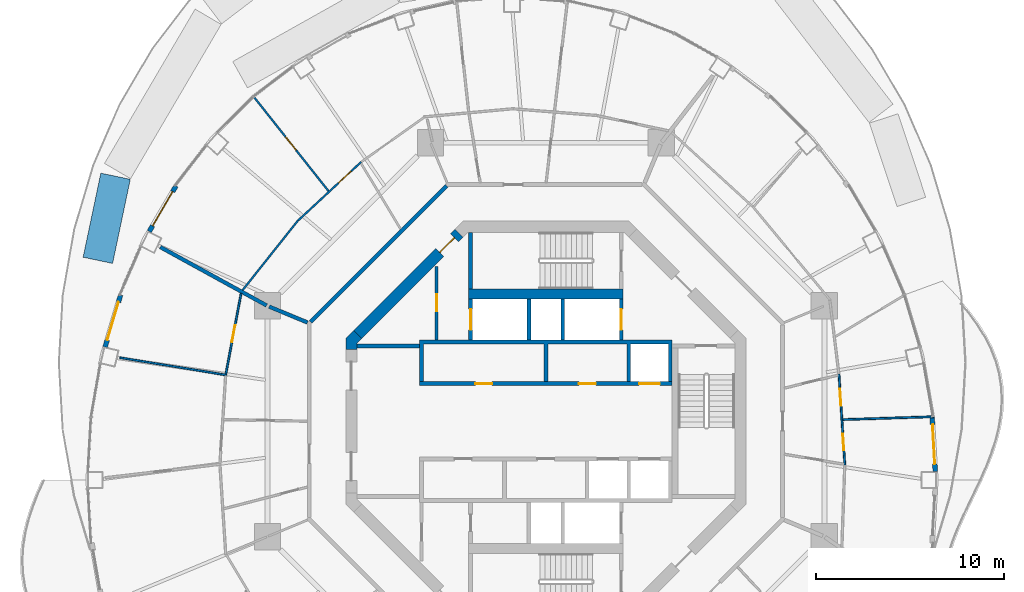
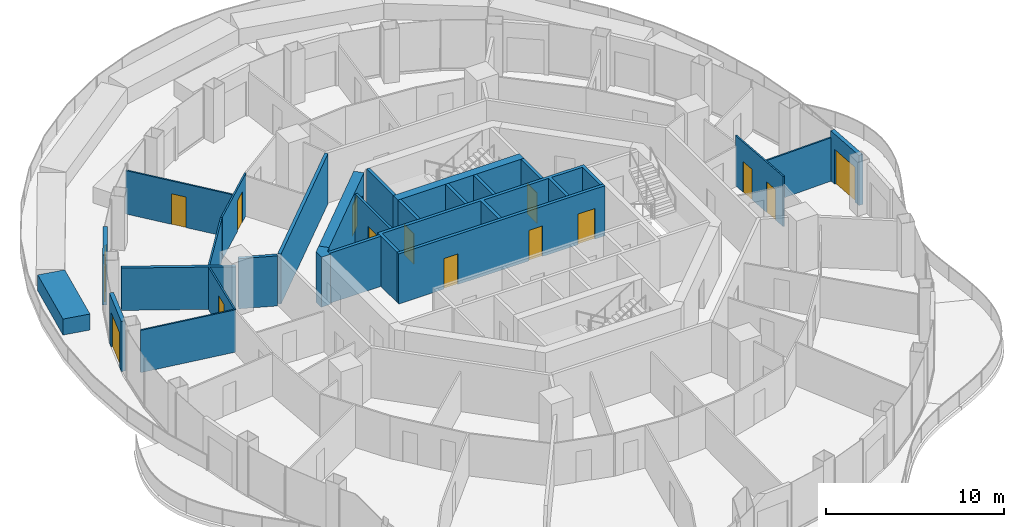
# One storey, part 12 of 17: 26 walls, 15 doors, 15 openings.
"""IFC4 building model written with IfcOpenShell, lengths in metres."""

import ifcopenshell
import ifcopenshell.guid

model = None  # the IFC model being written
_history = None  # IfcOwnerHistory: only IFC2X3 demands one
_inside = {}  # id of a spatial element -> (the spatial element, [elements in it])
_under = {}  # id of a project, library or spatial element -> (it, [spatial elements below it])
_declared = {}  # id of a project -> (the project, [libraries it declares])
_typed = {}  # id of a type object -> (the type object, [elements of that type])
_made_of = {}  # id of a material, layer set ... -> (it, [elements and type objects made of it])


def new_model(schema):
    """Start an empty IFC model of exactly this schema.

    Asked for "IFC4X3", IfcOpenShell would pick the latest addendum, in which some entities
    have other attributes; the version numbers below select the first issue.
    IFC2X3 requires an IfcOwnerHistory on every rooted entity: one is made here for all.
    """
    global model, _history
    if schema == "IFC4X3":
        model = ifcopenshell.file(schema_version=(4, 3, 0, 0))
    else:
        model = ifcopenshell.file(schema=schema)
    _inside.clear()
    _under.clear()
    _declared.clear()
    _typed.clear()
    _made_of.clear()
    _history = None
    if model.schema == "IFC2X3":
        org = make("IfcOrganization", Name="unknown")
        user = make(
            "IfcPersonAndOrganization",
            ThePerson=make("IfcPerson", FamilyName="unknown"),
            TheOrganization=org,
        )
        app = make(
            "IfcApplication",
            ApplicationDeveloper=org,
            Version="unknown",
            ApplicationFullName="unknown",
            ApplicationIdentifier="unknown",
        )
        _history = make(
            "IfcOwnerHistory",
            OwningUser=user,
            OwningApplication=app,
            ChangeAction="ADDED",
            CreationDate=0,
        )
    return model


def make(cls, **values):
    """One entity of the class cls with the attributes given. An attribute that is None is left unset."""
    return model.create_entity(
        cls, **{name: value for name, value in values.items() if value is not None}
    )


def rooted(cls, **values):
    """An entity with a GlobalId (a new one), such as an element, a storey or a relation."""
    return make(cls, GlobalId=ifcopenshell.guid.new(), OwnerHistory=_history, **values)


def si_unit(unit_type, name, prefix=None):
    """IfcSIUnit, for example si_unit("LENGTHUNIT", "METRE", prefix="MILLI")."""
    return make("IfcSIUnit", UnitType=unit_type, Prefix=prefix, Name=name)


def assignment(units):
    """IfcUnitAssignment: the units of a project."""
    return None if units is None else make("IfcUnitAssignment", Units=units)


def point(xyz):
    """IfcCartesianPoint."""
    return None if xyz is None else make("IfcCartesianPoint", Coordinates=xyz)


def direction(xyz):
    """IfcDirection."""
    return None if xyz is None else make("IfcDirection", DirectionRatios=xyz)


def frame(location, z_axis=None, x_axis=None):
    """IfcAxis2Placement3D, a coordinate frame: its origin and axes. An axis left out is left unset."""
    return make(
        "IfcAxis2Placement3D",
        Location=point(location),
        Axis=direction(z_axis),
        RefDirection=direction(x_axis),
    )


def frame_2d(location, x_axis=None):
    """IfcAxis2Placement2D, a coordinate frame in the plane: its origin and x axis."""
    return make(
        "IfcAxis2Placement2D", Location=point(location), RefDirection=direction(x_axis)
    )


def origin():
    """The frame at (0, 0, 0) with its axes left unset."""
    return frame((0.0, 0.0, 0.0))


def place(relative_to, where):
    """IfcLocalPlacement: puts the frame where relative to a parent placement (None: the world)."""
    return make(
        "IfcLocalPlacement", PlacementRelTo=relative_to, RelativePlacement=where
    )


def context(
    kind, dimensions, precision=None, world=None, true_north=None, identifier=None
):
    """IfcGeometricRepresentationContext, for example the 3D "Model" context."""
    return make(
        "IfcGeometricRepresentationContext",
        ContextIdentifier=identifier,
        ContextType=kind,
        CoordinateSpaceDimension=dimensions,
        Precision=precision,
        WorldCoordinateSystem=world,
        TrueNorth=true_north,
    )


def subcontext(parent, identifier, kind, view, scale=None):
    """IfcGeometricRepresentationSubContext, for example "Body" below "Model"."""
    return make(
        "IfcGeometricRepresentationSubContext",
        ContextIdentifier=identifier,
        ContextType=kind,
        ParentContext=parent,
        TargetScale=scale,
        TargetView=view,
    )


def project(units=None, contexts=None):
    """IfcProject with its units and contexts."""
    return rooted(
        "IfcProject",
        Name="project",
        RepresentationContexts=contexts,
        UnitsInContext=assignment(units),
    )


def spatial(cls, under=None, at=None, **own):
    """A site, building, storey or space (cls), placed at a placement, below another one or the project."""
    s = rooted(cls, ObjectPlacement=at, **own)
    if under is not None:
        _under.setdefault(under.id(), (under, []))[1].append(s)
    return s


def polyline(points):
    """IfcPolyline through the points."""
    return make("IfcPolyline", Points=[point(p) for p in points])


def profile(cls, at=None, kind="AREA", **sizes):
    """A parametric profile (cls). Its sizes go by their IFC names, for example OverallWidth=200.0."""
    return make(cls, ProfileType=kind, Position=at, **sizes)


def rectangle(**sizes):
    """IfcRectangleProfileDef."""
    return profile("IfcRectangleProfileDef", **sizes)


def outline(outer, holes=None, kind="AREA"):
    """IfcArbitraryClosedProfileDef: a profile drawn as a closed curve; with holes, ...WithVoids."""
    if holes is None:
        return make("IfcArbitraryClosedProfileDef", ProfileType=kind, OuterCurve=outer)
    return make(
        "IfcArbitraryProfileDefWithVoids",
        ProfileType=kind,
        OuterCurve=outer,
        InnerCurves=holes,
    )


def extrude(swept, where, along, depth):
    """IfcExtrudedAreaSolid: the profile swept, set in the frame where, extruded along a direction by depth."""
    return make(
        "IfcExtrudedAreaSolid",
        SweptArea=swept,
        Position=where,
        ExtrudedDirection=direction(along),
        Depth=depth,
    )


def shape(context_of_items, identifier, shape_type, items):
    """IfcShapeRepresentation: the items that make up one representation, for example the "Body"."""
    return make(
        "IfcShapeRepresentation",
        ContextOfItems=context_of_items,
        RepresentationIdentifier=identifier,
        RepresentationType=shape_type,
        Items=items,
    )


def material(Name=None, Category=None):
    """IfcMaterial."""
    return make("IfcMaterial", Name=Name, Category=Category)


def layer(
    of_material, thickness, ventilated=None, Name=None, Category=None, Priority=None
):
    """IfcMaterialLayer: one layer of a wall or slab, of a material (None: an air gap)."""
    return make(
        "IfcMaterialLayer",
        Material=of_material,
        LayerThickness=thickness,
        IsVentilated=ventilated,
        Name=Name,
        Category=Category,
        Priority=Priority,
    )


def layer_set(layers, Name=None):
    """IfcMaterialLayerSet."""
    return make("IfcMaterialLayerSet", MaterialLayers=layers, LayerSetName=Name)


def made_of(thing, what):
    """Note that an element or type object is made of a material, layer set ...; save() writes the relation."""
    if what is not None:
        _made_of.setdefault(what.id(), (what, []))[1].append(thing)
    return thing


def type_object(cls, material=None, **own):
    """A type object (cls), such as IfcWallType, which elements share."""
    return made_of(rooted(cls, **own), material)


def element(
    cls,
    number,
    at=None,
    inside=None,
    cuts=None,
    type_object=None,
    material=None,
    context=None,
    identifier="Body",
    shape_type=None,
    held_by="IfcProductDefinitionShape",
    body=None,
    shapes=None,
    **own,
):
    """One element of the class cls, such as IfcWall. Its Tag is "e" and its number.

    at: its placement. inside: the storey or other place that contains it. cuts: it is an
    opening in that element (IfcRelVoidsElement). A single representation is given by context,
    identifier, shape_type and body (its items); several are given by shapes. held_by: the class
    of the entity that holds the representations. save() writes the other relations.
    """
    e = rooted(cls, Tag="e%d" % number, ObjectPlacement=at, **own)
    if body is not None:
        shapes = [shape(context, identifier, shape_type, body)]
    if shapes is not None:
        e.Representation = make(held_by, Representations=shapes)
    if inside is not None:
        _inside.setdefault(inside.id(), (inside, []))[1].append(e)
    if cuts is not None:
        rooted(
            "IfcRelVoidsElement", RelatingBuildingElement=cuts, RelatedOpeningElement=e
        )
    if type_object is not None:
        _typed.setdefault(type_object.id(), (type_object, []))[1].append(e)
    return made_of(e, material)


def fill(opening, filler):
    """IfcRelFillsElement: the door or window that sits in an opening."""
    return rooted(
        "IfcRelFillsElement",
        RelatingOpeningElement=opening,
        RelatedBuildingElement=filler,
    )


def aggregate(whole, parts):
    """IfcRelAggregates: a whole, such as a stair, and the parts it consists of."""
    return rooted("IfcRelAggregates", RelatingObject=whole, RelatedObjects=parts)


def save(model, path):
    """Write the relations noted so far, then the file.

    IfcRelAggregates (storeys below a building ...), IfcRelContainedInSpatialStructure (elements
    in a storey), IfcRelDefinesByType, IfcRelAssociatesMaterial and IfcRelDeclares: one each for
    every whole, place, type object, material and project.
    """
    for whole, parts in _under.values():
        aggregate(whole, parts)
    for where, things in _inside.values():
        rooted(
            "IfcRelContainedInSpatialStructure",
            RelatedElements=things,
            RelatingStructure=where,
        )
    for kind, things in _typed.values():
        rooted("IfcRelDefinesByType", RelatedObjects=things, RelatingType=kind)
    for what, things in _made_of.values():
        rooted("IfcRelAssociatesMaterial", RelatedObjects=things, RelatingMaterial=what)
    for by, libraries in _declared.values():
        rooted("IfcRelDeclares", RelatingContext=by, RelatedDefinitions=libraries)
    model.write(path)


model = new_model("IFC4")

# Units and contexts
model_context = context("Model", 3, precision=1e-05, world=origin(), true_north=direction((0.0, 1.0)))
body_context = subcontext(model_context, "Body", "Model", "MODEL_VIEW")
ifc_project = project(units=[si_unit("LENGTHUNIT", "METRE"), si_unit("AREAUNIT", "SQUARE_METRE"), si_unit("VOLUMEUNIT", "CUBIC_METRE"), si_unit("PLANEANGLEUNIT", "RADIAN"), si_unit("MASSUNIT", "GRAM", prefix="KILO")], contexts=[model_context])

# Site, building, storey
site_placement = place(None, origin())
site = spatial("IfcSite", under=ifc_project, at=site_placement, CompositionType="ELEMENT")
building_placement = place(site_placement, origin())
building = spatial("IfcBuilding", under=site, at=building_placement, Name="Nagisa Residences", CompositionType="ELEMENT")
storey_placement = place(building_placement, frame((0.0, 0.0, 258.5)))
storey = spatial("IfcBuildingStorey", under=building, at=storey_placement, Name="L65", CompositionType="ELEMENT", Elevation=258.5)

# Walls
ifc_material_1 = material(Name="Gypsum board on steel studs", Category="steel")
ifc_layer_1 = layer(ifc_material_1, 0.199951171875)
ifc_layer_set_1 = layer_set([ifc_layer_1], Name="Apartment compartment wall EI60 200")
wall_type_1 = type_object("IfcWallType", Name="Apartment compartment wall EI60 200", PredefinedType="PARTITIONING", material=ifc_layer_set_1)
wall_1_placement = place(storey_placement, frame((-12.6572265625, 5.24267578125, 0.0), z_axis=(0.0, 0.0, 1.0), x_axis=(-0.923869415315, 0.382707856524, 0.0)))
element("IfcWall", 1, at=wall_1_placement, inside=storey, type_object=wall_type_1, Name="wall:L65:u02", PredefinedType="PARTITIONING", context=body_context, shape_type="SweptSolid", body=[
    extrude(rectangle(XDim=2.2001953125, YDim=0.199951171875, at=frame_2d((1.10009765625, 0.0))), origin(), (0.0, 0.0, 1.0), 3.43994140625),
])
wall_2_placement = place(storey_placement, frame((-14.825927734375, 6.14697265625, 0.0), z_axis=(0.0, 0.0, 1.0), x_axis=(-0.876484755865, 0.481429613481, 0.0)))
element("IfcWall", 2, at=wall_2_placement, inside=storey, type_object=wall_type_1, Name="wall:L65:u03", PredefinedType="PARTITIONING", context=body_context, shape_type="SweptSolid", body=[
    extrude(rectangle(XDim=6.43896484375, YDim=0.199951171875, at=frame_2d((3.219482421875, 0.0))), origin(), (0.0, 0.0, 1.0), 2.905029296875),
])
ifc_material_2 = material(Name="Gypsum board on steel studs", Category="steel")
ifc_layer_2 = layer(ifc_material_2, 0.199951171875)
ifc_layer_set_2 = layer_set([ifc_layer_2], Name="Apartment entry wall EI60 200")
wall_type_2 = type_object("IfcWallType", Name="Apartment entry wall EI60 200", PredefinedType="PARTITIONING", material=ifc_layer_set_2)
wall_3_placement = place(storey_placement, frame((-5.275146484375, 12.494140625, 0.0), z_axis=(0.0, 0.0, 1.0), x_axis=(-0.707106781187, -0.707106781187, 0.0)))
element("IfcWall", 3, at=wall_3_placement, inside=storey, type_object=wall_type_2, Name="wall:L65:u11", PredefinedType="PARTITIONING", context=body_context, shape_type="SweptSolid", body=[
    extrude(rectangle(XDim=10.209228515625, YDim=0.199951171875, at=frame_2d((5.1044921875, 0.0))), origin(), (0.0, 0.0, 1.0), 3.43994140625),
])

# Wall, openings, doors
ifc_material_3 = material(Name="Gypsum board on steel studs", Category="steel")
ifc_layer_3 = layer(ifc_material_3, 0.10009765625)
ifc_layer_set_3 = layer_set([ifc_layer_3], Name="Apartment partition 100")
wall_type_3 = type_object("IfcWallType", Name="Apartment partition 100", PredefinedType="PARTITIONING", material=ifc_layer_set_3)
wall_4_placement = place(storey_placement, frame((15.8701171875, -2.337890625, 0.0), z_axis=(0.0, 0.0, 1.0), x_axis=(-0.064797294757, 0.997898447034, 0.0)))
wall_4 = element("IfcWall", 4, at=wall_4_placement, inside=storey, type_object=wall_type_3, Name="wall:L65:u17", PredefinedType="PARTITIONING", context=body_context, shape_type="SweptSolid", body=[
    extrude(rectangle(XDim=4.856689453125, YDim=0.10009765625, at=frame_2d((2.42822265625, 0.0))), origin(), (0.0, 0.0, 1.0), 3.43994140625),
])
opening_1_placement = place(wall_4_placement, frame((0.789306640625, 0.0, 0.0)))
opening_1 = element("IfcOpeningElement", 5, at=opening_1_placement, cuts=wall_4, Name="Opening L65-U04", PredefinedType="OPENING", context=body_context, shape_type="SweptSolid", body=[
    extrude(rectangle(XDim=0.89990234375, YDim=2.10009765625, at=frame_2d((0.449951171875, 1.050048828125))), frame((0.0, 0.06005859375, 0.0), z_axis=(0.0, -1.0, 0.0), x_axis=(1.0, 0.0, 0.0)), (0.0, 0.0, 1.0), 0.1201171875),
])
opening_2_placement = place(wall_4_placement, frame((3.16748046875, 0.0, 0.0)))
opening_2 = element("IfcOpeningElement", 6, at=opening_2_placement, cuts=wall_4, Name="Opening L65-U05", PredefinedType="OPENING", context=body_context, shape_type="SweptSolid", body=[
    extrude(rectangle(XDim=0.89990234375, YDim=2.10009765625, at=frame_2d((0.449951171875, 1.050048828125))), frame((0.0, 0.06005859375, 0.0), z_axis=(0.0, -1.0, 0.0), x_axis=(1.0, 0.0, 0.0)), (0.0, 0.0, 1.0), 0.1201171875),
])
ifc_material_4 = material(Name="Timber door set", Category="wood")
door_type_1 = type_object("IfcDoorType", Name="Apartment door 900x2100", OperationType="NOTDEFINED", PredefinedType="DOOR", material=ifc_material_4)
door_1_placement = place(opening_1_placement, frame((0.89990234375, 0.0, 0.0), x_axis=(-1.0, 0.0, 0.0)))
door_1 = element("IfcDoor", 7, at=door_1_placement, inside=storey, type_object=door_type_1, Name="Door to master bedroom, Apartment 65A", OperationType="SINGLE_SWING_LEFT", OverallHeight=2.10009765625, OverallWidth=0.89990234375, PredefinedType="DOOR", context=body_context, shape_type="SweptSolid", body=[
    extrude(rectangle(XDim=0.89990234375, YDim=2.10009765625, at=frame_2d((0.449951171875, 1.050048828125))), frame((0.0, 0.02490234375, 0.0), z_axis=(0.0, -1.0, 0.0), x_axis=(1.0, 0.0, 0.0)), (0.0, 0.0, 1.0), 0.050048828125),
])
fill(opening_1, door_1)
door_2_placement = place(opening_2_placement, frame((0.89990234375, 0.0, 0.0), x_axis=(-1.0, 0.0, 0.0)))
door_2 = element("IfcDoor", 8, at=door_2_placement, inside=storey, type_object=door_type_1, Name="Door to bedroom, Apartment 65A", OperationType="SINGLE_SWING_RIGHT", OverallHeight=2.10009765625, OverallWidth=0.89990234375, PredefinedType="DOOR", context=body_context, shape_type="SweptSolid", body=[
    extrude(rectangle(XDim=0.89990234375, YDim=2.10009765625, at=frame_2d((0.449951171875, 1.050048828125))), frame((0.0, 0.02490234375, 0.0), z_axis=(0.0, -1.0, 0.0), x_axis=(1.0, 0.0, 0.0)), (0.0, 0.0, 1.0), 0.050048828125),
])
fill(opening_2, door_2)

# Wall
wall_5_placement = place(storey_placement, frame((15.7626953125, 0.0869140625, 0.0), z_axis=(0.0, 0.0, 1.0), x_axis=(0.999492034598, 0.03186962151, 0.0)))
element("IfcWall", 9, at=wall_5_placement, inside=storey, type_object=wall_type_3, Name="wall:L65:u19", PredefinedType="PARTITIONING", context=body_context, shape_type="SweptSolid", body=[
    extrude(rectangle(XDim=4.826171875, YDim=0.10009765625, at=frame_2d((2.4130859375, 0.0))), origin(), (0.0, 0.0, 1.0), 2.98291015625),
])

# Wall, opening, door
wall_6_placement = place(storey_placement, frame((-9.802001953125, 13.770263671875, 0.0), z_axis=(0.0, 0.0, 1.0), x_axis=(-0.732662099478, -0.680592571212, 0.0)))
wall_6 = element("IfcWall", 10, at=wall_6_placement, inside=storey, type_object=wall_type_3, Name="wall:L65:u36", PredefinedType="PARTITIONING", context=body_context, shape_type="SweptSolid", body=[
    extrude(rectangle(XDim=4.56689453125, YDim=0.10009765625, at=frame_2d((2.283447265625, 0.0))), origin(), (0.0, 0.0, 1.0), 2.905029296875),
])
opening_3_placement = place(wall_6_placement, frame((0.74169921875, 0.0, 0.0)))
opening_3 = element("IfcOpeningElement", 11, at=opening_3_placement, cuts=wall_6, Name="Opening L65-U17", PredefinedType="OPENING", context=body_context, shape_type="SweptSolid", body=[
    extrude(rectangle(XDim=0.89990234375, YDim=2.10009765625, at=frame_2d((0.449951171875, 1.050048828125))), frame((0.0, 0.06005859375, 0.0), z_axis=(0.0, -1.0, 0.0), x_axis=(1.0, 0.0, 0.0)), (0.0, 0.0, 1.0), 0.1201171875),
])
door_3_placement = place(opening_3_placement, origin())
door_3 = element("IfcDoor", 12, at=door_3_placement, inside=storey, type_object=door_type_1, Name="Door to laundry, Apartment 65B", OperationType="SINGLE_SWING_LEFT", OverallHeight=2.10009765625, OverallWidth=0.89990234375, PredefinedType="DOOR", context=body_context, shape_type="SweptSolid", body=[
    extrude(rectangle(XDim=0.89990234375, YDim=2.10009765625, at=frame_2d((0.449951171875, 1.050048828125))), frame((0.0, 0.02490234375, 0.0), z_axis=(0.0, -1.0, 0.0), x_axis=(1.0, 0.0, 0.0)), (0.0, 0.0, 1.0), 0.050048828125),
])
fill(opening_3, door_3)

wall_7_placement = place(storey_placement, frame((-11.542724609375, 12.221435546875, 0.0), z_axis=(0.0, 0.0, 1.0), x_axis=(-0.621117202271, 0.783717692185, 0.0)))
wall_7 = element("IfcWall", 13, at=wall_7_placement, inside=storey, type_object=wall_type_3, Name="wall:L65:u37", PredefinedType="PARTITIONING", context=body_context, shape_type="SweptSolid", body=[
    extrude(rectangle(XDim=6.4443359375, YDim=0.10009765625, at=frame_2d((3.22216796875, 0.0))), origin(), (0.0, 0.0, 1.0), 2.98291015625),
])
opening_4_placement = place(wall_7_placement, frame((2.772216796875, 0.0, 0.0)))
opening_4 = element("IfcOpeningElement", 14, at=opening_4_placement, cuts=wall_7, Name="Opening L65-U15", PredefinedType="OPENING", context=body_context, shape_type="SweptSolid", body=[
    extrude(rectangle(XDim=0.89990234375, YDim=2.10009765625, at=frame_2d((0.449951171875, 1.050048828125))), frame((0.0, 0.06005859375, 0.0), z_axis=(0.0, -1.0, 0.0), x_axis=(1.0, 0.0, 0.0)), (0.0, 0.0, 1.0), 0.1201171875),
])
door_4_placement = place(opening_4_placement, origin())
door_4 = element("IfcDoor", 15, at=door_4_placement, inside=storey, type_object=door_type_1, Name="Door to master bedroom, Apartment 65B", OperationType="SINGLE_SWING_LEFT", OverallHeight=2.10009765625, OverallWidth=0.89990234375, PredefinedType="DOOR", context=body_context, shape_type="SweptSolid", body=[
    extrude(rectangle(XDim=0.89990234375, YDim=2.10009765625, at=frame_2d((0.449951171875, 1.050048828125))), frame((0.0, 0.02490234375, 0.0), z_axis=(0.0, -1.0, 0.0), x_axis=(1.0, 0.0, 0.0)), (0.0, 0.0, 1.0), 0.050048828125),
])
fill(opening_4, door_4)

# Wall
wall_8_placement = place(storey_placement, frame((-13.153564453125, 10.667236328125, 0.0), z_axis=(0.0, 0.0, 1.0), x_axis=(-0.622246555556, -0.782821323227, 0.0)))
element("IfcWall", 16, at=wall_8_placement, inside=storey, type_object=wall_type_3, Name="wall:L65:u38", PredefinedType="PARTITIONING", context=body_context, shape_type="SweptSolid", body=[
    extrude(rectangle(XDim=4.736083984375, YDim=0.10009765625, at=frame_2d((2.3681640625, 0.0))), origin(), (0.0, 0.0, 1.0), 2.905029296875),
])

# Wall, opening, door
wall_9_placement = place(storey_placement, frame((-16.181396484375, 6.783203125, 0.0), z_axis=(0.0, 0.0, 1.0), x_axis=(-0.185670583745, -0.982612046706, 0.0)))
wall_9 = element("IfcWall", 17, at=wall_9_placement, inside=storey, type_object=wall_type_3, Name="wall:L65:u39", PredefinedType="PARTITIONING", context=body_context, shape_type="SweptSolid", body=[
    extrude(rectangle(XDim=4.35107421875, YDim=0.10009765625, at=frame_2d((2.175537109375, 0.0))), origin(), (0.0, 0.0, 1.0), 2.905029296875),
])
opening_5_placement = place(wall_9_placement, frame((1.7255859375, 0.0, 0.0)))
opening_5 = element("IfcOpeningElement", 18, at=opening_5_placement, cuts=wall_9, Name="Opening L65-U21", PredefinedType="OPENING", context=body_context, shape_type="SweptSolid", body=[
    extrude(rectangle(XDim=0.89990234375, YDim=2.10009765625, at=frame_2d((0.449951171875, 1.050048828125))), frame((0.0, 0.06005859375, 0.0), z_axis=(0.0, -1.0, 0.0), x_axis=(1.0, 0.0, 0.0)), (0.0, 0.0, 1.0), 0.1201171875),
])
door_5_placement = place(opening_5_placement, frame((0.89990234375, 0.0, 0.0), x_axis=(-1.0, 0.0, 0.0)))
door_5 = element("IfcDoor", 19, at=door_5_placement, inside=storey, type_object=door_type_1, Name="Door to bedroom, Apartment 65C", OperationType="SINGLE_SWING_RIGHT", OverallHeight=2.10009765625, OverallWidth=0.89990234375, PredefinedType="DOOR", context=body_context, shape_type="SweptSolid", body=[
    extrude(rectangle(XDim=0.89990234375, YDim=2.10009765625, at=frame_2d((0.449951171875, 1.050048828125))), frame((0.0, 0.02490234375, 0.0), z_axis=(0.0, -1.0, 0.0), x_axis=(1.0, 0.0, 0.0)), (0.0, 0.0, 1.0), 0.050048828125),
])
fill(opening_5, door_5)

# Wall
wall_10_placement = place(storey_placement, frame((-16.94921875, 2.45068359375, 0.0), z_axis=(0.0, 0.0, 1.0), x_axis=(-0.986937570833, 0.161103169673, 0.0)))
element("IfcWall", 20, at=wall_10_placement, inside=storey, type_object=wall_type_3, Name="wall:L65:u40", PredefinedType="PARTITIONING", context=body_context, shape_type="SweptSolid", body=[
    extrude(rectangle(XDim=5.743408203125, YDim=0.10009765625, at=frame_2d((2.87158203125, 0.0))), origin(), (0.0, 0.0, 1.0), 2.905029296875),
])

# Wall, opening, door
ifc_material_5 = material(Name="Precast concrete C40/50", Category="concrete")
ifc_layer_4 = layer(ifc_material_5, 0.25)
ifc_layer_set_4 = layer_set([ifc_layer_4], Name="BALCONY DOOR WALL 250")
wall_type_4 = type_object("IfcWallType", Name="BALCONY DOOR WALL 250", PredefinedType="SOLIDWALL", material=ifc_layer_set_4)
wall_11_placement = place(storey_placement, frame((20.501708984375, 0.23486328125, 0.0), z_axis=(0.0, 0.0, 1.0), x_axis=(0.057533933376, -0.998343551344, 0.0)))
wall_11 = element("IfcWall", 21, at=wall_11_placement, inside=storey, type_object=wall_type_4, Name="wall:L65:bay00", PredefinedType="SOLIDWALL", context=body_context, shape_type="SweptSolid", body=[
    extrude(rectangle(XDim=2.915283203125, YDim=0.25, at=frame_2d((1.45751953125, 0.0))), origin(), (0.0, 0.0, 1.0), 3.43994140625),
])
opening_6_placement = place(wall_11_placement, frame((0.40771484375, 0.0, 0.0)))
opening_6 = element("IfcOpeningElement", 22, at=opening_6_placement, cuts=wall_11, Name="Opening BD-L65-01", PredefinedType="OPENING", context=body_context, shape_type="SweptSolid", body=[
    extrude(rectangle(XDim=2.10009765625, YDim=2.39990234375, at=frame_2d((1.050048828125, 1.199951171875))), frame((0.0, 0.135009765625, 0.0), z_axis=(0.0, -1.0, 0.0), x_axis=(1.0, 0.0, 0.0)), (0.0, 0.0, 1.0), 0.27001953125),
])
ifc_material_6 = material(Name="Aluminium and clear glass", Category="aluminium")
door_type_2 = type_object("IfcDoorType", Name="BALCONY SLIDING DOOR 2100x2400", OperationType="SLIDING_TO_LEFT", PredefinedType="DOOR", material=ifc_material_6)
door_6_placement = place(opening_6_placement, origin())
door_6 = element("IfcDoor", 23, at=door_6_placement, inside=storey, type_object=door_type_2, Name="door:L65:bay00", OperationType="SLIDING_TO_LEFT", OverallHeight=2.39990234375, OverallWidth=2.10009765625, PredefinedType="DOOR", context=body_context, shape_type="SweptSolid", body=[
    extrude(rectangle(XDim=2.10009765625, YDim=2.39990234375, at=frame_2d((1.050048828125, 1.199951171875))), frame((0.0, 0.02490234375, 0.0), z_axis=(0.0, -1.0, 0.0), x_axis=(1.0, 0.0, 0.0)), (0.0, 0.0, 1.0), 0.050048828125),
])
fill(opening_6, door_6)

wall_12_placement = place(storey_placement, frame((-21.053955078125, 10.0771484375, 0.0), z_axis=(0.0, 0.0, 1.0), x_axis=(0.506371364425, 0.862315511452, 0.0)))
wall_12 = element("IfcWall", 24, at=wall_12_placement, inside=storey, type_object=wall_type_4, Name="wall:L65:bay19", PredefinedType="SOLIDWALL", context=body_context, shape_type="SweptSolid", body=[
    extrude(rectangle(XDim=2.79638671875, YDim=0.25, at=frame_2d((1.398193359375, 0.0))), origin(), (0.0, 0.0, 1.0), 3.43994140625),
])
opening_7_placement = place(wall_12_placement, frame((0.34814453125, 0.0, 0.0)))
opening_7 = element("IfcOpeningElement", 25, at=opening_7_placement, cuts=wall_12, Name="Opening BD-L65-07", PredefinedType="OPENING", context=body_context, shape_type="SweptSolid", body=[
    extrude(rectangle(XDim=2.10009765625, YDim=2.39990234375, at=frame_2d((1.050048828125, 1.199951171875))), frame((0.0, 0.135009765625, 0.0), z_axis=(0.0, -1.0, 0.0), x_axis=(1.0, 0.0, 0.0)), (0.0, 0.0, 1.0), 0.27001953125),
])
door_7_placement = place(opening_7_placement, origin())
door_7 = element("IfcDoor", 26, at=door_7_placement, inside=storey, type_object=door_type_2, Name="door:L65:bay19", OperationType="SLIDING_TO_LEFT", OverallHeight=2.39990234375, OverallWidth=2.10009765625, PredefinedType="DOOR", context=body_context, shape_type="SweptSolid", body=[
    extrude(rectangle(XDim=2.10009765625, YDim=2.39990234375, at=frame_2d((1.050048828125, 1.199951171875))), frame((0.0, 0.02490234375, 0.0), z_axis=(0.0, -1.0, 0.0), x_axis=(1.0, 0.0, 0.0)), (0.0, 0.0, 1.0), 0.050048828125),
])
fill(opening_7, door_7)

wall_13_placement = place(storey_placement, frame((-23.40087890625, 3.939697265625, 0.0), z_axis=(0.0, 0.0, 1.0), x_axis=(0.285876209024, 0.9582665564, 0.0)))
wall_13 = element("IfcWall", 27, at=wall_13_placement, inside=storey, type_object=wall_type_4, Name="wall:L65:bay21", PredefinedType="SOLIDWALL", context=body_context, shape_type="SweptSolid", body=[
    extrude(rectangle(XDim=2.877197265625, YDim=0.25, at=frame_2d((1.4384765625, 0.0))), origin(), (0.0, 0.0, 1.0), 3.43994140625),
])
opening_8_placement = place(wall_13_placement, frame((0.388671875, 0.0, 0.0)))
opening_8 = element("IfcOpeningElement", 28, at=opening_8_placement, cuts=wall_13, Name="Opening BD-L65-08", PredefinedType="OPENING", context=body_context, shape_type="SweptSolid", body=[
    extrude(rectangle(XDim=2.10009765625, YDim=2.39990234375, at=frame_2d((1.050048828125, 1.199951171875))), frame((0.0, 0.135009765625, 0.0), z_axis=(0.0, -1.0, 0.0), x_axis=(1.0, 0.0, 0.0)), (0.0, 0.0, 1.0), 0.27001953125),
])
door_8_placement = place(opening_8_placement, origin())
door_8 = element("IfcDoor", 29, at=door_8_placement, inside=storey, type_object=door_type_2, Name="door:L65:bay21", OperationType="SLIDING_TO_LEFT", OverallHeight=2.39990234375, OverallWidth=2.10009765625, PredefinedType="DOOR", context=body_context, shape_type="SweptSolid", body=[
    extrude(rectangle(XDim=2.10009765625, YDim=2.39990234375, at=frame_2d((1.050048828125, 1.199951171875))), frame((0.0, 0.02490234375, 0.0), z_axis=(0.0, -1.0, 0.0), x_axis=(1.0, 0.0, 0.0)), (0.0, 0.0, 1.0), 0.050048828125),
])
fill(opening_8, door_8)

ifc_material_7 = material(Name="Gypsum board on steel studs", Category="steel")
ifc_layer_5 = layer(ifc_material_7, 0.14990234375)
ifc_layer_set_5 = layer_set([ifc_layer_5], Name="Core partition 150")
wall_type_5 = type_object("IfcWallType", Name="Core partition 150", PredefinedType="PARTITIONING", material=ifc_layer_set_5)
wall_14_placement = place(storey_placement, frame((-5.800048828125, 4.300048828125, 0.0), z_axis=(0.0, 0.0, 1.0), x_axis=(0.0, 1.0, 0.0)))
wall_14 = element("IfcWall", 30, at=wall_14_placement, inside=storey, type_object=wall_type_5, Name="wall:L65:NWp", PredefinedType="PARTITIONING", context=body_context, shape_type="SweptSolid", body=[
    extrude(rectangle(XDim=3.927001953125, YDim=0.14990234375, at=frame_2d((1.96337890625, 0.0))), origin(), (0.0, 0.0, 1.0), 3.43994140625),
])
opening_9_placement = place(wall_14_placement, frame((1.551025390625, 0.0, 0.0)))
opening_9 = element("IfcOpeningElement", 31, at=opening_9_placement, cuts=wall_14, Name="Opening L65-C10", PredefinedType="OPENING", context=body_context, shape_type="SweptSolid", body=[
    extrude(rectangle(XDim=0.89990234375, YDim=2.10009765625, at=frame_2d((0.449951171875, 1.050048828125))), frame((0.0, 0.0849609375, 0.0), z_axis=(0.0, -1.0, 0.0), x_axis=(1.0, 0.0, 0.0)), (0.0, 0.0, 1.0), 0.169921875),
])
ifc_material_8 = material(Name="Steel fire door", Category="steel")
door_type_3 = type_object("IfcDoorType", Name="Fire door EI30 900x2100 single swing", OperationType="NOTDEFINED", PredefinedType="DOOR", material=ifc_material_8)
door_9_placement = place(opening_9_placement, origin())
door_9 = element("IfcDoor", 32, at=door_9_placement, inside=storey, type_object=door_type_3, Name="Linen store door L65", OperationType="SINGLE_SWING_LEFT", OverallHeight=2.10009765625, OverallWidth=0.89990234375, PredefinedType="DOOR", context=body_context, shape_type="SweptSolid", body=[
    extrude(rectangle(XDim=0.89990234375, YDim=2.10009765625, at=frame_2d((0.449951171875, 1.050048828125))), frame((0.0, 0.02490234375, 0.0), z_axis=(0.0, -1.0, 0.0), x_axis=(1.0, 0.0, 0.0)), (0.0, 0.0, 1.0), 0.050048828125),
])
fill(opening_9, door_9)

# Wall
ifc_material_9 = material(Name="Gypsum board on steel studs", Category="steel")
ifc_layer_6 = layer(ifc_material_9, 0.199951171875)
ifc_layer_set_6 = layer_set([ifc_layer_6], Name="Core partition 200")
wall_type_6 = type_object("IfcWallType", Name="Core partition 200", PredefinedType="PARTITIONING", material=ifc_layer_set_6)
wall_15_placement = place(storey_placement, frame((-10.024658203125, 4.0, 0.0), z_axis=(0.0, 0.0, 1.0), x_axis=(1.0, 0.0, 0.0)))
element("IfcWall", 33, at=wall_15_placement, inside=storey, type_object=wall_type_6, Name="wall:L65:PNW", PredefinedType="PARTITIONING", context=body_context, shape_type="SweptSolid", body=[
    extrude(rectangle(XDim=3.32470703125, YDim=0.199951171875, at=frame_2d((1.662353515625, 0.0))), origin(), (0.0, 0.0, 1.0), 3.43994140625),
])

# Wall, opening, door
ifc_material_10 = material(Name="Concrete C60", Category="concrete")
ifc_layer_7 = layer(ifc_material_10, 0.60009765625)
ifc_layer_set_7 = layer_set([ifc_layer_7], Name="Core shear wall 600")
wall_type_7 = type_object("IfcWallType", Name="Core shear wall 600", PredefinedType="SHEAR", material=ifc_layer_set_7)
wall_16_placement = place(storey_placement, frame((-4.613037109375, 9.98828125, 0.0), z_axis=(0.0, 0.0, 1.0), x_axis=(-0.707106781187, -0.707106781187, 0.0)))
wall_16 = element("IfcWall", 34, at=wall_16_placement, inside=storey, type_object=wall_type_7, Name="wall:L65:core:flat3", PredefinedType="SHEAR", context=body_context, shape_type="SweptSolid", body=[
    extrude(rectangle(XDim=7.601806640625, YDim=0.60009765625, at=frame_2d((3.80078125, 0.0))), origin(), (0.0, 0.0, 1.0), 3.43994140625),
])
opening_10_placement = place(wall_16_placement, frame((0.350830078125, 0.0, 0.0)))
opening_10 = element("IfcOpeningElement", 35, at=opening_10_placement, cuts=wall_16, Name="Opening L65-C21", PredefinedType="OPENING", context=body_context, shape_type="SweptSolid", body=[
    extrude(rectangle(XDim=1.10009765625, YDim=2.10009765625, at=frame_2d((0.550048828125, 1.050048828125))), frame((0.0, 0.31005859375, 0.0), z_axis=(0.0, -1.0, 0.0), x_axis=(1.0, 0.0, 0.0)), (0.0, 0.0, 1.0), 0.6201171875),
])
ifc_material_11 = material(Name="Steel fire door", Category="steel")
door_type_4 = type_object("IfcDoorType", Name="Fire door EI60 1100x2100 single swing", OperationType="NOTDEFINED", PredefinedType="DOOR", material=ifc_material_11)
door_10_placement = place(opening_10_placement, origin())
door_10 = element("IfcDoor", 36, at=door_10_placement, inside=storey, type_object=door_type_4, Name="Service lobby door L65", OperationType="SINGLE_SWING_LEFT", OverallHeight=2.10009765625, OverallWidth=1.10009765625, PredefinedType="DOOR", context=body_context, shape_type="SweptSolid", body=[
    extrude(rectangle(XDim=1.10009765625, YDim=2.10009765625, at=frame_2d((0.550048828125, 1.050048828125))), frame((0.0, 0.02490234375, 0.0), z_axis=(0.0, -1.0, 0.0), x_axis=(1.0, 0.0, 0.0)), (0.0, 0.0, 1.0), 0.050048828125),
])
fill(opening_10, door_10)

# Wall
wall_17_placement = place(storey_placement, origin())
element("IfcWall", 37, at=wall_17_placement, inside=storey, type_object=wall_type_7, Name="wall:L65:core:pier3", PredefinedType="SHEAR", context=body_context, shape_type="SweptSolid", body=[
    extrude(outline(polyline([(-10.200439453125, 4.8251953125), (-9.776123046875, 4.40087890625), (-10.024658203125, 4.15234375), (-10.024658203125, 3.80078125), (-10.62451171875, 3.80078125), (-10.62451171875, 4.40087890625), (-10.200439453125, 4.8251953125)])), origin(), (0.0, 0.0, 1.0), 3.43994140625),
])

# Wall, opening, door
ifc_material_12 = material(Name="Concrete C60", Category="concrete")
ifc_layer_8 = layer(ifc_material_12, 0.199951171875)
ifc_layer_set_8 = layer_set([ifc_layer_8], Name="Lift shaft wall 200")
wall_type_8 = type_object("IfcWallType", Name="Lift shaft wall 200", PredefinedType="SOLIDWALL", material=ifc_layer_set_8)
wall_18_placement = place(storey_placement, frame((4.0, 4.300048828125, 0.0), z_axis=(0.0, 0.0, 1.0), x_axis=(0.0, 1.0, 0.0)))
wall_18 = element("IfcWall", 38, at=wall_18_placement, inside=storey, type_object=wall_type_8, Name="wall:L65:Nb3", PredefinedType="SOLIDWALL", context=body_context, shape_type="SweptSolid", body=[
    extrude(rectangle(XDim=2.199951171875, YDim=0.199951171875, at=frame_2d((1.10009765625, 0.0))), origin(), (0.0, 0.0, 1.0), 3.43994140625),
])
opening_11_placement = place(wall_18_placement, frame((0.550048828125, 0.0, 0.0)))
opening_11 = element("IfcOpeningElement", 39, at=opening_11_placement, cuts=wall_18, Name="Opening L65-C04", PredefinedType="OPENING", context=body_context, shape_type="SweptSolid", body=[
    extrude(rectangle(XDim=1.10009765625, YDim=2.10009765625, at=frame_2d((0.550048828125, 1.050048828125))), frame((0.0, 0.10986328125, 0.0), z_axis=(0.0, -1.0, 0.0), x_axis=(1.0, 0.0, 0.0)), (0.0, 0.0, 1.0), 0.219970703125),
])
ifc_material_13 = material(Name="Stainless steel", Category="steel")
door_type_5 = type_object("IfcDoorType", Name="Lift landing door 1100x2100", OperationType="DOUBLE_DOOR_SLIDING", PredefinedType="DOOR", material=ifc_material_13)
door_11_placement = place(opening_11_placement, origin())
door_11 = element("IfcDoor", 40, at=door_11_placement, inside=storey, type_object=door_type_5, Name="Landing door FL1 L65", OperationType="DOUBLE_DOOR_SLIDING", OverallHeight=2.10009765625, OverallWidth=1.10009765625, PredefinedType="DOOR", context=body_context, shape_type="SweptSolid", body=[
    extrude(rectangle(XDim=1.10009765625, YDim=2.10009765625, at=frame_2d((0.550048828125, 1.050048828125))), frame((0.0, 0.02490234375, 0.0), z_axis=(0.0, -1.0, 0.0), x_axis=(1.0, 0.0, 0.0)), (0.0, 0.0, 1.0), 0.050048828125),
])
fill(opening_11, door_11)

wall_19_placement = place(storey_placement, frame((-4.0, 4.300048828125, 0.0), z_axis=(0.0, 0.0, 1.0), x_axis=(0.0, 1.0, 0.0)))
wall_19 = element("IfcWall", 41, at=wall_19_placement, inside=storey, type_object=wall_type_8, Name="wall:L65:Nb4", PredefinedType="SOLIDWALL", context=body_context, shape_type="SweptSolid", body=[
    extrude(rectangle(XDim=2.199951171875, YDim=0.199951171875, at=frame_2d((1.10009765625, 0.0))), origin(), (0.0, 0.0, 1.0), 3.43994140625),
])
opening_12_placement = place(wall_19_placement, frame((0.550048828125, 0.0, 0.0)))
opening_12 = element("IfcOpeningElement", 42, at=opening_12_placement, cuts=wall_19, Name="Opening L65-C06", PredefinedType="OPENING", context=body_context, shape_type="SweptSolid", body=[
    extrude(rectangle(XDim=1.10009765625, YDim=2.10009765625, at=frame_2d((0.550048828125, 1.050048828125))), frame((0.0, 0.10986328125, 0.0), z_axis=(0.0, -1.0, 0.0), x_axis=(1.0, 0.0, 0.0)), (0.0, 0.0, 1.0), 0.219970703125),
])
door_12_placement = place(opening_12_placement, origin())
door_12 = element("IfcDoor", 43, at=door_12_placement, inside=storey, type_object=door_type_5, Name="Landing door SV L65", OperationType="DOUBLE_DOOR_SLIDING", OverallHeight=2.10009765625, OverallWidth=1.10009765625, PredefinedType="DOOR", context=body_context, shape_type="SweptSolid", body=[
    extrude(rectangle(XDim=1.10009765625, YDim=2.10009765625, at=frame_2d((0.550048828125, 1.050048828125))), frame((0.0, 0.02490234375, 0.0), z_axis=(0.0, -1.0, 0.0), x_axis=(1.0, 0.0, 0.0)), (0.0, 0.0, 1.0), 0.050048828125),
])
fill(opening_12, door_12)

# Wall, openings, doors
wall_20_placement = place(storey_placement, frame((-6.699951171875, 2.0, 0.0), z_axis=(0.0, 0.0, 1.0), x_axis=(1.0, 0.0, 0.0)))
wall_20 = element("IfcWall", 44, at=wall_20_placement, inside=storey, type_object=wall_type_8, Name="wall:L65:Nfront", PredefinedType="SOLIDWALL", context=body_context, shape_type="SweptSolid", body=[
    extrude(rectangle(XDim=13.39990234375, YDim=0.199951171875, at=frame_2d((6.699951171875, 0.0))), origin(), (0.0, 0.0, 1.0), 3.43994140625),
])
opening_13_placement = place(wall_20_placement, frame((11.64990234375, 0.0, 0.0)))
opening_13 = element("IfcOpeningElement", 45, at=opening_13_placement, cuts=wall_20, Name="Opening L65-C01", PredefinedType="OPENING", context=body_context, shape_type="SweptSolid", body=[
    extrude(rectangle(XDim=1.10009765625, YDim=2.10009765625, at=frame_2d((0.550048828125, 1.050048828125))), frame((0.0, 0.10986328125, 0.0), z_axis=(0.0, -1.0, 0.0), x_axis=(1.0, 0.0, 0.0)), (0.0, 0.0, 1.0), 0.219970703125),
])
opening_14_placement = place(wall_20_placement, frame((2.949951171875, 0.0, 0.0)))
opening_14 = element("IfcOpeningElement", 46, at=opening_14_placement, cuts=wall_20, Name="Opening L65-C13", PredefinedType="OPENING", context=body_context, shape_type="SweptSolid", body=[
    extrude(rectangle(XDim=0.89990234375, YDim=2.10009765625, at=frame_2d((0.449951171875, 1.050048828125))), frame((0.0, 0.10986328125, 0.0), z_axis=(0.0, -1.0, 0.0), x_axis=(1.0, 0.0, 0.0)), (0.0, 0.0, 1.0), 0.219970703125),
])
opening_15_placement = place(wall_20_placement, frame((8.449951171875, 0.0, 0.0)))
opening_15 = element("IfcOpeningElement", 47, at=opening_15_placement, cuts=wall_20, Name="Opening L65-C14", PredefinedType="OPENING", context=body_context, shape_type="SweptSolid", body=[
    extrude(rectangle(XDim=0.89990234375, YDim=2.10009765625, at=frame_2d((0.449951171875, 1.050048828125))), frame((0.0, 0.10986328125, 0.0), z_axis=(0.0, -1.0, 0.0), x_axis=(1.0, 0.0, 0.0)), (0.0, 0.0, 1.0), 0.219970703125),
])
door_13_placement = place(opening_14_placement, origin())
door_13 = element("IfcDoor", 48, at=door_13_placement, inside=storey, type_object=door_type_3, Name="Housekeeping store door L65", OperationType="SINGLE_SWING_RIGHT", OverallHeight=2.10009765625, OverallWidth=0.89990234375, PredefinedType="DOOR", context=body_context, shape_type="SweptSolid", body=[
    extrude(rectangle(XDim=0.89990234375, YDim=2.10009765625, at=frame_2d((0.449951171875, 1.050048828125))), frame((0.0, 0.02490234375, 0.0), z_axis=(0.0, -1.0, 0.0), x_axis=(1.0, 0.0, 0.0)), (0.0, 0.0, 1.0), 0.050048828125),
])
fill(opening_14, door_13)
door_14_placement = place(opening_15_placement, origin())
door_14 = element("IfcDoor", 49, at=door_14_placement, inside=storey, type_object=door_type_3, Name="Owner storage door L65", OperationType="SINGLE_SWING_RIGHT", OverallHeight=2.10009765625, OverallWidth=0.89990234375, PredefinedType="DOOR", context=body_context, shape_type="SweptSolid", body=[
    extrude(rectangle(XDim=0.89990234375, YDim=2.10009765625, at=frame_2d((0.449951171875, 1.050048828125))), frame((0.0, 0.02490234375, 0.0), z_axis=(0.0, -1.0, 0.0), x_axis=(1.0, 0.0, 0.0)), (0.0, 0.0, 1.0), 0.050048828125),
])
fill(opening_15, door_14)
door_15_placement = place(opening_13_placement, origin())
door_15 = element("IfcDoor", 50, at=door_15_placement, inside=storey, type_object=door_type_5, Name="Landing door C1 L65", OperationType="DOUBLE_DOOR_SLIDING", OverallHeight=2.10009765625, OverallWidth=1.10009765625, PredefinedType="DOOR", context=body_context, shape_type="SweptSolid", body=[
    extrude(rectangle(XDim=1.10009765625, YDim=2.10009765625, at=frame_2d((0.550048828125, 1.050048828125))), frame((0.0, 0.02490234375, 0.0), z_axis=(0.0, -1.0, 0.0), x_axis=(1.0, 0.0, 0.0)), (0.0, 0.0, 1.0), 0.050048828125),
])
fill(opening_13, door_15)

# Walls
for number, where, z_axis, x_axis, name in (
    (51, (-0.89990234375, 4.300048828125, 0.0), (0.0, 0.0, 1.0), (0.0, 1.0, 0.0), "wall:L65:Nb1"),
    (52, (0.89990234375, 4.300048828125, 0.0), (0.0, 0.0, 1.0), (0.0, 1.0, 0.0), "wall:L65:Nb2"),
):
    element("IfcWall", number, at=place(storey_placement, frame(where, z_axis=z_axis, x_axis=x_axis)), inside=storey, type_object=wall_type_8, Name=name, PredefinedType="SOLIDWALL", context=body_context, shape_type="SweptSolid", body=[
        extrude(rectangle(XDim=2.199951171875, YDim=0.199951171875, at=frame_2d((1.10009765625, 0.0))), origin(), (0.0, 0.0, 1.0), 3.43994140625),
    ])
wall_21_placement = place(storey_placement, origin())
element("IfcWall", 53, at=wall_21_placement, inside=storey, type_object=wall_type_8, Name="wall:L65:Nback", PredefinedType="SOLIDWALL", context=body_context, shape_type="SweptSolid", body=[
    extrude(outline(polyline([(-6.699951171875, 4.300048828125), (6.699951171875, 4.300048828125), (6.699951171875, 2.10009765625), (6.5, 2.10009765625), (6.5, 4.10009765625), (4.5, 4.10009765625), (4.5, 2.10009765625), (4.300048828125, 2.10009765625), (4.300048828125, 4.10009765625), (0.10009765625, 4.10009765625), (0.10009765625, 2.10009765625), (-0.10009765625, 2.10009765625), (-0.10009765625, 4.10009765625), (-6.5, 4.10009765625), (-6.5, 2.10009765625), (-6.699951171875, 2.10009765625), (-6.699951171875, 4.300048828125)])), origin(), (0.0, 0.0, 1.0), 3.43994140625),
])
ifc_material_14 = material(Name="Precast concrete C30/37", Category="concrete")
ifc_layer_9 = layer(ifc_material_14, 1.60009765625)
ifc_layer_set_9 = layer_set([ifc_layer_9], Name="PLANTER")
wall_type_9 = type_object("IfcWallType", Name="PLANTER", PredefinedType="SOLIDWALL", material=ifc_layer_set_9)
wall_22_placement = place(storey_placement, frame((-23.78515625, 8.541015625, 0.0), z_axis=(0.0, 0.0, 1.0), x_axis=(0.205983516992, 0.978555461243, 0.0)))
element("IfcWall", 54, at=wall_22_placement, inside=storey, type_object=wall_type_9, Name="planter:L65:garden001", PredefinedType="SOLIDWALL", context=body_context, shape_type="SweptSolid", body=[
    extrude(rectangle(XDim=4.563232421875, YDim=1.60009765625, at=frame_2d((2.28173828125, 0.0))), origin(), (0.0, 0.0, 1.0), 1.10009765625),
])
ifc_material_15 = material(Name="Concrete C60", Category="concrete")
ifc_layer_10 = layer(ifc_material_15, 0.199951171875)
ifc_layer_set_10 = layer_set([ifc_layer_10], Name="Stair enclosure wall 200")
wall_type_10 = type_object("IfcWallType", Name="Stair enclosure wall 200", PredefinedType="SOLIDWALL", material=ifc_layer_set_10)
wall_23_placement = place(storey_placement, origin())
element("IfcWall", 55, at=wall_23_placement, inside=storey, type_object=wall_type_10, Name="wall:L65:SN_w", PredefinedType="SOLIDWALL", context=body_context, shape_type="SweptSolid", body=[
    extrude(outline(polyline([(-3.89990234375, 7.024658203125), (-4.10009765625, 7.024658203125), (-4.10009765625, 10.024658203125), (-3.89990234375, 10.024658203125), (-3.89990234375, 7.024658203125)])), origin(), (0.0, 0.0, 1.0), 3.43994140625),
])
wall_24_placement = place(storey_placement, origin())
element("IfcWall", 56, at=wall_24_placement, inside=storey, type_object=wall_type_10, Name="wall:L65:SN_s", PredefinedType="SOLIDWALL", context=body_context, shape_type="SweptSolid", body=[
    extrude(outline(polyline([(4.10009765625, 6.5), (-4.10009765625, 6.5), (-4.10009765625, 7.024658203125), (4.10009765625, 7.024658203125), (4.10009765625, 6.5)])), origin(), (0.0, 0.0, 1.0), 3.43994140625),
])

save(model, "model.ifc")
